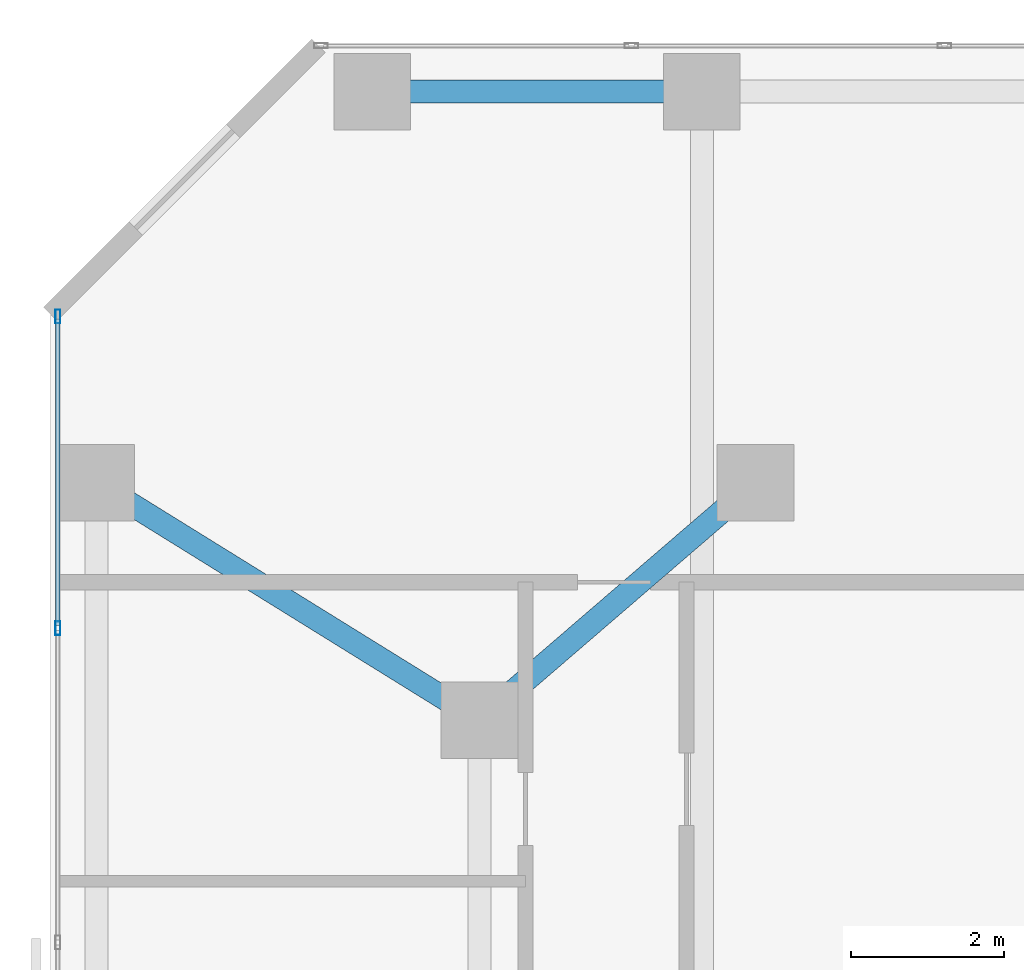
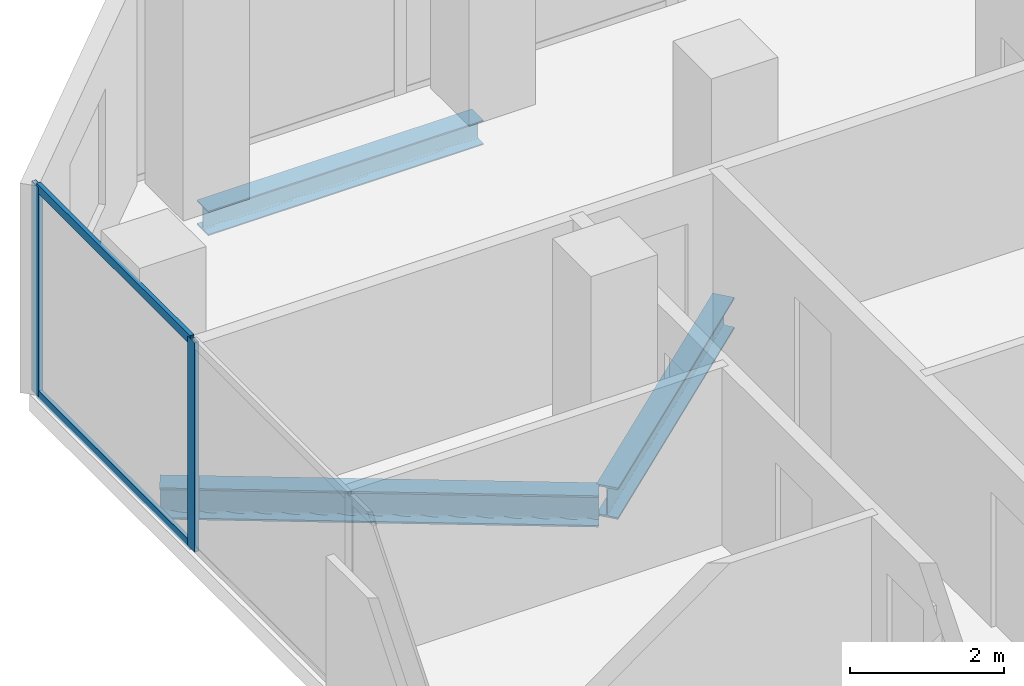
# One storey, part 18 of 31: 4 members, 3 beams, 1 element without a shape of its own.
"""IFC4 building model written with IfcOpenShell, lengths in metres."""

from ifc_helpers import new_model, si_unit, direction, frame, origin, origin_2d, place, context, subcontext, project, spatial, hollow_rectangle, i_section, extrude, material, layer, layer_set, material_profile, profile_set, type_object, element, aggregate, save


model = new_model("IFC4")

# Units and contexts
model_context = context("Model", 3, precision=1e-05, world=origin(), true_north=direction((0.0, 1.0)))
body_context = subcontext(model_context, "Body", "Model", "MODEL_VIEW")
ifc_project = project(units=[si_unit("LENGTHUNIT", "METRE"), si_unit("AREAUNIT", "SQUARE_METRE"), si_unit("VOLUMEUNIT", "CUBIC_METRE"), si_unit("PLANEANGLEUNIT", "RADIAN"), si_unit("MASSUNIT", "GRAM", prefix="KILO")], contexts=[model_context])

# Site, building, storey
site_placement = place(None, origin())
site = spatial("IfcSite", under=ifc_project, at=site_placement, CompositionType="ELEMENT")
building_placement = place(site_placement, origin())
building = spatial("IfcBuilding", under=site, at=building_placement, Name="Catumbela Crestline Tower", CompositionType="ELEMENT")
storey_placement = place(building_placement, frame((0.0, 0.0, 40.2)))
storey = spatial("IfcBuildingStorey", under=building, at=storey_placement, Name="L09", CompositionType="ELEMENT", Elevation=40.2)

# Beams
ifc_material_1 = material(Name="Structural steel S355J2", Category="steel")
ifc_material_profile_1 = material_profile(ifc_material_1, i_section(OverallWidth=0.3, OverallDepth=0.5, WebThickness=0.0145, FlangeThickness=0.028, FilletRadius=0.027, at=origin_2d()), Name="HEB 500")
ifc_profile_set_1 = profile_set([ifc_material_profile_1], Name="Structural steel S355J2")
beam_type_1 = type_object("IfcBeamType", Name="BG-HEB500", PredefinedType="BEAM", material=ifc_profile_set_1)
beam_1_placement = place(storey_placement, frame((0.668, 42.2578, -0.51), z_axis=(0.849908952007, -0.526929571479, 0.0), x_axis=(0.526929571479, 0.849908952007, 0.0)))
element("IfcBeam", 1, at=beam_1_placement, inside=storey, type_object=beam_type_1, Name="L09 Beam BM-L09-N13", PredefinedType="BEAM", context=body_context, shape_type="SweptSolid", body=[
    extrude(i_section(OverallWidth=0.3, OverallDepth=0.5, WebThickness=0.0145, FlangeThickness=0.028, FilletRadius=0.027, at=origin_2d()), origin(), (0.0, 0.0, 1.0), 5.723),
])
beam_2_placement = place(storey_placement, frame((5.6606, 39.2522, -0.51), z_axis=(0.757772392559, 0.652518966066, 0.0), x_axis=(-0.652518966066, 0.757772392559, 0.0)))
element("IfcBeam", 2, at=beam_2_placement, inside=storey, type_object=beam_type_1, Name="L09 Beam BM-L09-N14", PredefinedType="BEAM", context=body_context, shape_type="SweptSolid", body=[
    extrude(i_section(OverallWidth=0.3, OverallDepth=0.5, WebThickness=0.0145, FlangeThickness=0.028, FilletRadius=0.027, at=origin_2d()), origin(), (0.0, 0.0, 1.0), 4.5908),
])

# Curtain wall, members
ifc_material_2 = material(Name="Aluminium alloy AW-6060-T66", Category="aluminium")
ifc_layer = layer(ifc_material_2, 0.18, Name="Aluminium alloy AW-6060-T66")
ifc_layer_set = layer_set([ifc_layer], Name="Aluminium alloy AW-6060-T66")
curtain_wall_type = type_object("IfcCurtainWallType", Name="CWU-Z1", PredefinedType="USERDEFINED", material=ifc_layer_set)
curtain_wall_placement = place(storey_placement, origin())
curtain_wall = element("IfcCurtainWall", 3, at=curtain_wall_placement, inside=storey, type_object=curtain_wall_type, Name="L09 Unitised Curtain Wall CW-L09-E9S1", ObjectType="UNITISED", PredefinedType="USERDEFINED")
ifc_material_profile_2 = material_profile(ifc_material_2, hollow_rectangle(XDim=0.065, YDim=0.18, WallThickness=0.004, at=origin_2d()), Name="ALU 180x65x4")
ifc_profile_set_2 = profile_set([ifc_material_profile_2], Name="Aluminium alloy AW-6060-T66")
member_type_1 = type_object("IfcMemberType", Name="MUL-180X65", PredefinedType="MULLION", material=ifc_profile_set_2)
member_1_placement = place(storey_placement, frame((0.1, 44.4675, 0.0), z_axis=(0.0, 0.0, 1.0), x_axis=(1.0, 0.0, 0.0)))
member_1 = element("IfcMember", 4, at=member_1_placement, type_object=member_type_1, Name="CWU-Z1 mullion 1", PredefinedType="MULLION", context=body_context, shape_type="SweptSolid", body=[
    extrude(hollow_rectangle(XDim=0.065, YDim=0.18, WallThickness=0.004, at=origin_2d()), origin(), (0.0, 0.0, 1.0), 3.33),
])
member_2_placement = place(storey_placement, frame((0.1, 40.4, 0.0), z_axis=(0.0, 0.0, 1.0), x_axis=(1.0, 0.0, 0.0)))
member_2 = element("IfcMember", 5, at=member_2_placement, type_object=member_type_1, Name="CWU-Z1 mullion 2", PredefinedType="MULLION", context=body_context, shape_type="SweptSolid", body=[
    extrude(hollow_rectangle(XDim=0.065, YDim=0.18, WallThickness=0.004, at=origin_2d()), origin(), (0.0, 0.0, 1.0), 3.33),
])

# Beam
ifc_material_profile_3 = material_profile(ifc_material_1, i_section(OverallWidth=0.3, OverallDepth=0.39, WebThickness=0.011, FlangeThickness=0.019, FilletRadius=0.027, at=origin_2d()), Name="HEA 400")
ifc_profile_set_3 = profile_set([ifc_material_profile_3], Name="Structural steel S355J2")
beam_type_2 = type_object("IfcBeamType", Name="BS-HEA400", PredefinedType="SPANDREL", material=ifc_profile_set_3)
beam_3_placement = place(storey_placement, frame((4.28, 47.4, -0.455), z_axis=(1.0, 0.0, 0.0), x_axis=(0.0, 1.0, 0.0)))
element("IfcBeam", 6, at=beam_3_placement, inside=storey, type_object=beam_type_2, Name="L09 Spandrel SP-L09-NF19", PredefinedType="SPANDREL", context=body_context, shape_type="SweptSolid", body=[
    extrude(i_section(OverallWidth=0.3, OverallDepth=0.39, WebThickness=0.011, FlangeThickness=0.019, FilletRadius=0.027, at=origin_2d()), origin(), (0.0, 0.0, 1.0), 4.14),
])

# Member
ifc_material_profile_4 = material_profile(ifc_material_2, hollow_rectangle(XDim=0.06, YDim=0.14, WallThickness=0.004, at=origin_2d()), Name="ALU 140x60x4")
ifc_profile_set_4 = profile_set([ifc_material_profile_4], Name="Aluminium alloy AW-6060-T66")
member_type_2 = type_object("IfcMemberType", Name="TRN-140X60", PredefinedType="USERDEFINED", material=ifc_profile_set_4)
member_3_placement = place(storey_placement, frame((0.1, 44.435, 0.03), z_axis=(0.0, -1.0, 0.0), x_axis=(1.0, 0.0, 0.0)))
member_3 = element("IfcMember", 7, at=member_3_placement, type_object=member_type_2, Name="CWU-Z1 transom 1.1", ObjectType="TRANSOM", PredefinedType="USERDEFINED", context=body_context, shape_type="SweptSolid", body=[
    extrude(hollow_rectangle(XDim=0.06, YDim=0.14, WallThickness=0.004, at=origin_2d()), origin(), (0.0, 0.0, 1.0), 4.0025),
])

member_4_placement = place(storey_placement, frame((0.1, 44.435, 3.3), z_axis=(0.0, -1.0, 0.0), x_axis=(1.0, 0.0, 0.0)))
member_4 = element("IfcMember", 8, at=member_4_placement, type_object=member_type_2, Name="CWU-Z1 transom 1.2", ObjectType="TRANSOM", PredefinedType="USERDEFINED", context=body_context, shape_type="SweptSolid", body=[
    extrude(hollow_rectangle(XDim=0.06, YDim=0.14, WallThickness=0.004, at=origin_2d()), origin(), (0.0, 0.0, 1.0), 4.0025),
])

aggregate(curtain_wall, [member_1, member_2, member_3, member_4])

save(model, "model.ifc")
